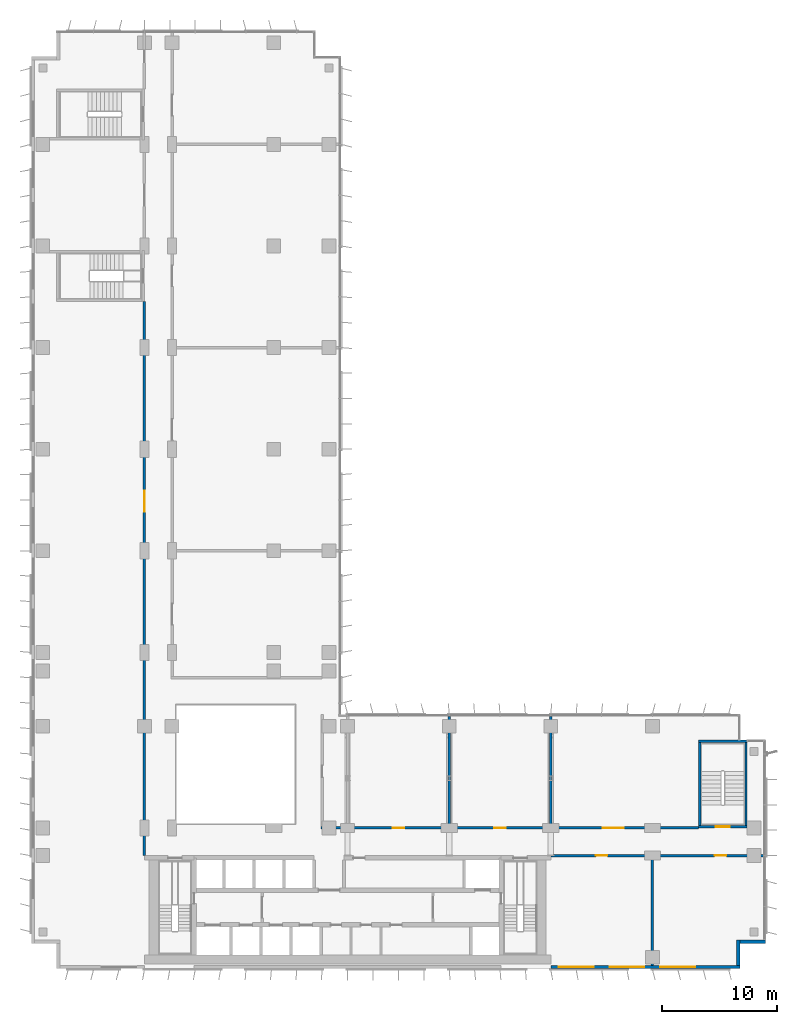
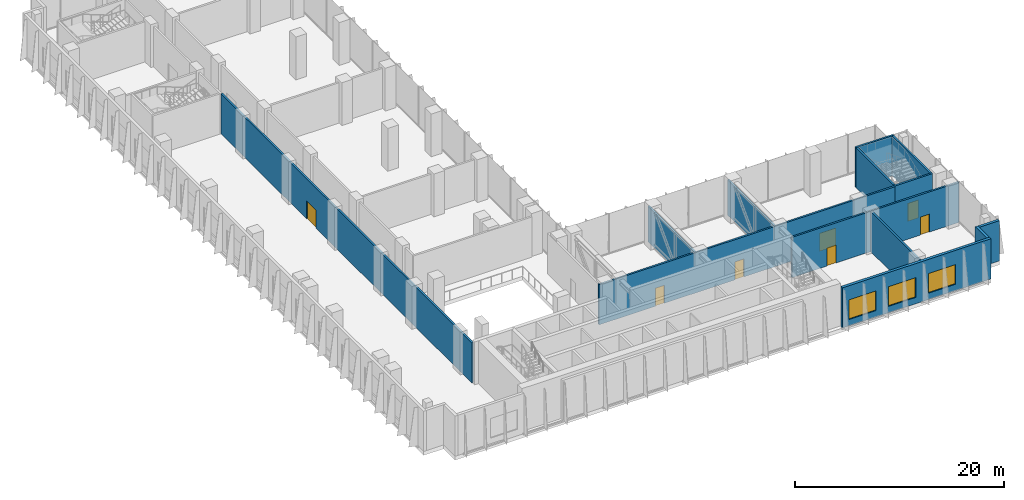
# One storey, part 13 of 21: 13 walls, 7 doors, 3 windows, 10 openings.
"""IFC4 building model written with IfcOpenShell, lengths in metres."""

from ifc_helpers import new_model, si_unit, direction, frame, frame_2d, origin, place, context, subcontext, project, spatial, rectangle, extrude, material, layer, layer_set, type_object, element, fill, save


model = new_model("IFC4")

# Units and contexts
model_context = context("Model", 3, precision=1e-05, world=origin(), true_north=direction((0.0, 1.0)))
body_context = subcontext(model_context, "Body", "Model", "MODEL_VIEW")
ifc_project = project(units=[si_unit("LENGTHUNIT", "METRE"), si_unit("AREAUNIT", "SQUARE_METRE"), si_unit("VOLUMEUNIT", "CUBIC_METRE"), si_unit("PLANEANGLEUNIT", "RADIAN"), si_unit("MASSUNIT", "GRAM", prefix="KILO")], contexts=[model_context])

# Site, building, storey
site_placement = place(None, origin())
site = spatial("IfcSite", under=ifc_project, at=site_placement, CompositionType="ELEMENT")
building_placement = place(site_placement, origin())
building = spatial("IfcBuilding", under=site, at=building_placement, Name="Kemantara Hotel Tower", CompositionType="ELEMENT")
storey_placement = place(building_placement, frame((0.0, 0.0, 133.300048828125)))
storey = spatial("IfcBuildingStorey", under=building, at=storey_placement, Name="L32", CompositionType="ELEMENT", Elevation=133.300048828125)

# Wall, openings, windows
ifc_material_1 = material(Name="Bronze anodised aluminium cladding on insulated steel stud wall", Category="steel")
ifc_layer_1 = layer(ifc_material_1, 0.300048828125)
ifc_layer_set_1 = layer_set([ifc_layer_1], Name="Bronze anodised aluminium cladding on insulated steel stud wall")
wall_type_1 = type_object("IfcWallType", Name="BRONZE METAL-CLAD EXTERNAL WALL 300", PredefinedType="STANDARD", material=ifc_layer_set_1)
wall_1_placement = place(storey_placement, frame((45.0, 0.14990234375, 0.0), z_axis=(0.0, 0.0, 1.0), x_axis=(1.0, 0.0, 0.0)))
wall_1 = element("IfcWall", 1, at=wall_1_placement, inside=storey, type_object=wall_type_1, Name="EXTERNAL WALL L32 T2-R07-3", PredefinedType="STANDARD", context=body_context, shape_type="SweptSolid", body=[
    extrude(rectangle(XDim=16.39990234375, YDim=0.300048828125, at=frame_2d((8.199951171875, 0.0))), origin(), (0.0, 0.0, 1.0), 4.699951171875),
])
opening_1_placement = place(wall_1_placement, frame((0.699951171875, 0.0, 0.75)))
opening_1 = element("IfcOpeningElement", 2, at=opening_1_placement, cuts=wall_1, Name="Opening W1", PredefinedType="OPENING", context=body_context, shape_type="SweptSolid", body=[
    extrude(rectangle(XDim=3.0, YDim=2.300048828125, at=frame_2d((1.5, 1.14990234375))), frame((0.0, 0.159912109375, 0.0), z_axis=(0.0, -1.0, 0.0), x_axis=(1.0, 0.0, 0.0)), (0.0, 0.0, 1.0), 0.320068359375),
])
opening_2_placement = place(wall_1_placement, frame((5.10009765625, 0.0, 0.75)))
opening_2 = element("IfcOpeningElement", 3, at=opening_2_placement, cuts=wall_1, Name="Opening W1", PredefinedType="OPENING", context=body_context, shape_type="SweptSolid", body=[
    extrude(rectangle(XDim=3.0, YDim=2.300048828125, at=frame_2d((1.5, 1.14990234375))), frame((0.0, 0.159912109375, 0.0), z_axis=(0.0, -1.0, 0.0), x_axis=(1.0, 0.0, 0.0)), (0.0, 0.0, 1.0), 0.320068359375),
])
opening_3_placement = place(wall_1_placement, frame((9.5, 0.0, 0.75)))
opening_3 = element("IfcOpeningElement", 4, at=opening_3_placement, cuts=wall_1, Name="Opening W1", PredefinedType="OPENING", context=body_context, shape_type="SweptSolid", body=[
    extrude(rectangle(XDim=3.0, YDim=2.300048828125, at=frame_2d((1.5, 1.14990234375))), frame((0.0, 0.159912109375, 0.0), z_axis=(0.0, -1.0, 0.0), x_axis=(1.0, 0.0, 0.0)), (0.0, 0.0, 1.0), 0.320068359375),
])
ifc_material_2 = material(Name="Low-E tinted double insulated glass in bronze anodised aluminium frame", Category="aluminium")
window_type = type_object("IfcWindowType", Name="CHICAGO WINDOW, TRIPLE PANEL 3000x2300", PartitioningType="TRIPLE_PANEL_VERTICAL", PredefinedType="WINDOW", material=ifc_material_2)
window_1_placement = place(opening_1_placement, origin())
window_1 = element("IfcWindow", 5, at=window_1_placement, inside=storey, type_object=window_type, Name="CHICAGO WINDOW L32 T2-R07-450", OverallHeight=2.300048828125, OverallWidth=3.0, PartitioningType="SINGLE_PANEL", PredefinedType="WINDOW", context=body_context, shape_type="SweptSolid", body=[
    extrude(rectangle(XDim=3.0, YDim=2.300048828125, at=frame_2d((1.5, 1.14990234375))), frame((0.0, 0.030029296875, 0.0), z_axis=(0.0, -1.0, 0.0), x_axis=(1.0, 0.0, 0.0)), (0.0, 0.0, 1.0), 0.06005859375),
])
fill(opening_1, window_1)
window_2_placement = place(opening_2_placement, origin())
window_2 = element("IfcWindow", 6, at=window_2_placement, inside=storey, type_object=window_type, Name="CHICAGO WINDOW L32 T2-R07-494", OverallHeight=2.300048828125, OverallWidth=3.0, PartitioningType="SINGLE_PANEL", PredefinedType="WINDOW", context=body_context, shape_type="SweptSolid", body=[
    extrude(rectangle(XDim=3.0, YDim=2.300048828125, at=frame_2d((1.5, 1.14990234375))), frame((0.0, 0.030029296875, 0.0), z_axis=(0.0, -1.0, 0.0), x_axis=(1.0, 0.0, 0.0)), (0.0, 0.0, 1.0), 0.06005859375),
])
fill(opening_2, window_2)
window_3_placement = place(opening_3_placement, origin())
window_3 = element("IfcWindow", 7, at=window_3_placement, inside=storey, type_object=window_type, Name="CHICAGO WINDOW L32 T2-R07-538", OverallHeight=2.300048828125, OverallWidth=3.0, PartitioningType="SINGLE_PANEL", PredefinedType="WINDOW", context=body_context, shape_type="SweptSolid", body=[
    extrude(rectangle(XDim=3.0, YDim=2.300048828125, at=frame_2d((1.5, 1.14990234375))), frame((0.0, 0.030029296875, 0.0), z_axis=(0.0, -1.0, 0.0), x_axis=(1.0, 0.0, 0.0)), (0.0, 0.0, 1.0), 0.06005859375),
])
fill(opening_3, window_3)

# Walls
wall_2_placement = place(storey_placement, frame((61.25, 0.300048828125, 0.0), z_axis=(0.0, 0.0, 1.0), x_axis=(0.0, 1.0, 0.0)))
element("IfcWall", 8, at=wall_2_placement, inside=storey, type_object=wall_type_1, Name="EXTERNAL WALL L32 T2-R08", PredefinedType="STANDARD", context=body_context, shape_type="SweptSolid", body=[
    extrude(rectangle(XDim=2.199951171875, YDim=0.300048828125, at=frame_2d((1.10009765625, 0.0))), origin(), (0.0, 0.0, 1.0), 4.699951171875),
])
wall_3_placement = place(storey_placement, frame((61.39990234375, 2.35009765625, 0.0), z_axis=(0.0, 0.0, 1.0), x_axis=(1.0, 0.0, 0.0)))
element("IfcWall", 9, at=wall_3_placement, inside=storey, type_object=wall_type_1, Name="EXTERNAL WALL L32 T2-R09", PredefinedType="STANDARD", context=body_context, shape_type="SweptSolid", body=[
    extrude(rectangle(XDim=2.2001953125, YDim=0.300048828125, at=frame_2d((1.10009765625, 0.0))), origin(), (0.0, 0.0, 1.0), 4.699951171875),
])

# Wall, opening, door
ifc_material_3 = material(Name="Concrete fc 40 MPa", Category="concrete")
ifc_layer_2 = layer(ifc_material_3, 0.199951171875)
ifc_layer_set_2 = layer_set([ifc_layer_2], Name="Concrete fc 40 MPa")
wall_type_2 = type_object("IfcWallType", Name="Concrete stair wall 200 mm", PredefinedType="SHEAR", material=ifc_layer_set_2)
wall_4_placement = place(storey_placement, frame((57.800048828125, 12.300048828125, 0.0), z_axis=(0.0, 0.0, 1.0), x_axis=(1.0, 0.0, 0.0)))
wall_4 = element("IfcWall", 10, at=wall_4_placement, inside=storey, type_object=wall_type_2, Name="Stair ST3 enclosure wall with door", PredefinedType="SHEAR", context=body_context, shape_type="SweptSolid", body=[
    extrude(rectangle(XDim=4.199951171875, YDim=0.199951171875, at=frame_2d((2.10009765625, 0.0))), origin(), (0.0, 0.0, 1.0), 4.699951171875),
])
opening_4_placement = place(wall_4_placement, frame((1.5, 0.0, 0.0)))
opening_4 = element("IfcOpeningElement", 11, at=opening_4_placement, cuts=wall_4, Name="Opening ST3-C", PredefinedType="OPENING", context=body_context, shape_type="SweptSolid", body=[
    extrude(rectangle(XDim=1.199951171875, YDim=2.10009765625, at=frame_2d((0.60009765625, 1.050048828125))), frame((0.0, 0.10986328125, 0.0), z_axis=(0.0, -1.0, 0.0), x_axis=(1.0, 0.0, 0.0)), (0.0, 0.0, 1.0), 0.219970703125),
])
ifc_material_4 = material(Name="Steel fire door", Category="steel")
door_type_1 = type_object("IfcDoorType", Name="Fire door FD90 1200 x 2100", OperationType="NOTDEFINED", PredefinedType="DOOR", material=ifc_material_4)
door_1_placement = place(opening_4_placement, origin())
door_1 = element("IfcDoor", 12, at=door_1_placement, inside=storey, type_object=door_type_1, Name="Stair ST3 door", OperationType="SINGLE_SWING_RIGHT", OverallHeight=2.10009765625, OverallWidth=1.199951171875, PredefinedType="DOOR", context=body_context, shape_type="SweptSolid", body=[
    extrude(rectangle(XDim=1.199951171875, YDim=2.10009765625, at=frame_2d((0.60009765625, 1.050048828125))), frame((0.0, 0.02490234375, 0.0), z_axis=(0.0, -1.0, 0.0), x_axis=(1.0, 0.0, 0.0)), (0.0, 0.0, 1.0), 0.050048828125),
])
fill(opening_4, door_1)

# Walls
wall_5_placement = place(storey_placement, frame((57.800048828125, 19.699951171875, 0.0), z_axis=(0.0, 0.0, 1.0), x_axis=(1.0, 0.0, 0.0)))
element("IfcWall", 13, at=wall_5_placement, inside=storey, type_object=wall_type_2, Name="Stair ST3 enclosure wall N", PredefinedType="SHEAR", context=body_context, shape_type="SweptSolid", body=[
    extrude(rectangle(XDim=4.199951171875, YDim=0.199951171875, at=frame_2d((2.10009765625, 0.0))), origin(), (0.0, 0.0, 1.0), 4.699951171875),
])
for number, where, z_axis, x_axis, name in (
    (14, (57.89990234375, 12.39990234375, 0.0), (0.0, 0.0, 1.0), (0.0, 1.0, 0.0), "Stair ST3 enclosure wall W"),
    (15, (61.89990234375, 12.39990234375, 0.0), (0.0, 0.0, 1.0), (0.0, 1.0, 0.0), "Stair ST3 enclosure wall E"),
):
    element("IfcWall", number, at=place(storey_placement, frame(where, z_axis=z_axis, x_axis=x_axis)), inside=storey, type_object=wall_type_2, Name=name, PredefinedType="SHEAR", context=body_context, shape_type="SweptSolid", body=[
        extrude(rectangle(XDim=7.2001953125, YDim=0.199951171875, at=frame_2d((3.60009765625, 0.0))), origin(), (0.0, 0.0, 1.0), 4.699951171875),
    ])
ifc_material_5 = material(Name="Clay brick masonry", Category="masonry")
ifc_layer_3 = layer(ifc_material_5, 0.199951171875)
ifc_layer_set_3 = layer_set([ifc_layer_3], Name="Clay brick masonry")
wall_type_3 = type_object("IfcWallType", Name="FIRE-RATED CLAY BRICK WALL 200 EI 120", PredefinedType="PARTITIONING", material=ifc_layer_set_3)
wall_6_placement = place(storey_placement, frame((53.800048828125, 0.300048828125, 0.0), z_axis=(0.0, 0.0, 1.0), x_axis=(0.0, 1.0, 0.0)))
element("IfcWall", 16, at=wall_6_placement, inside=storey, type_object=wall_type_3, Name="FIRE WALL", PredefinedType="PARTITIONING", context=body_context, shape_type="SweptSolid", body=[
    extrude(rectangle(XDim=9.39990234375, YDim=0.199951171875, at=frame_2d((4.699951171875, 0.0))), origin(), (0.0, 0.0, 1.0), 4.699951171875),
])
for number, where, z_axis, x_axis, name in (
    (17, (36.199951171875, 12.300048828125, 0.0), (0.0, 0.0, 1.0), (0.0, 1.0, 0.0), "FIRE WALL"),
    (18, (45.0, 12.300048828125, 0.0), (0.0, 0.0, 1.0), (0.0, 1.0, 0.0), "FIRE WALL"),
):
    element("IfcWall", number, at=place(storey_placement, frame(where, z_axis=z_axis, x_axis=x_axis)), inside=storey, type_object=wall_type_3, Name=name, PredefinedType="PARTITIONING", context=body_context, shape_type="SweptSolid", body=[
        extrude(rectangle(XDim=9.550048828125, YDim=0.199951171875, at=frame_2d((4.77490234375, 0.0))), origin(), (0.0, 0.0, 1.0), 4.130859375),
    ])

# Wall, openings, doors
ifc_material_6 = material(Name="Fire-rated gypsum board partition")
ifc_layer_4 = layer(ifc_material_6, 0.199951171875)
ifc_layer_set_4 = layer_set([ifc_layer_4], Name="Fire-rated gypsum board partition")
wall_type_4 = type_object("IfcWallType", Name="FIRE-RATED GYPSUM PARTITION 200 EI 60", PredefinedType="PARTITIONING", material=ifc_layer_set_4)
wall_7_placement = place(storey_placement, frame((45.0, 9.800048828125, 0.0), z_axis=(0.0, 0.0, 1.0), x_axis=(1.0, 0.0, 0.0)))
wall_7 = element("IfcWall", 19, at=wall_7_placement, inside=storey, type_object=wall_type_4, Name="FIRE-RATED PARTITION", PredefinedType="PARTITIONING", context=body_context, shape_type="SweptSolid", body=[
    extrude(rectangle(XDim=18.449951171875, YDim=0.199951171875, at=frame_2d((9.22509765625, 0.0))), origin(), (0.0, 0.0, 1.0), 4.699951171875),
])
opening_5_placement = place(wall_7_placement, frame((3.89990234375, 0.0, 0.0)))
opening_5 = element("IfcOpeningElement", 20, at=opening_5_placement, cuts=wall_7, Name="Opening L32-B001", PredefinedType="OPENING", context=body_context, shape_type="SweptSolid", body=[
    extrude(rectangle(XDim=1.0, YDim=2.10009765625, at=frame_2d((0.5, 1.050048828125))), frame((0.0, 0.10986328125, 0.0), z_axis=(0.0, -1.0, 0.0), x_axis=(1.0, 0.0, 0.0)), (0.0, 0.0, 1.0), 0.219970703125),
])
opening_6_placement = place(wall_7_placement, frame((14.199951171875, 0.0, 0.0)))
opening_6 = element("IfcOpeningElement", 21, at=opening_6_placement, cuts=wall_7, Name="Opening L32-B002", PredefinedType="OPENING", context=body_context, shape_type="SweptSolid", body=[
    extrude(rectangle(XDim=1.0, YDim=2.10009765625, at=frame_2d((0.5, 1.050048828125))), frame((0.0, 0.10986328125, 0.0), z_axis=(0.0, -1.0, 0.0), x_axis=(1.0, 0.0, 0.0)), (0.0, 0.0, 1.0), 0.219970703125),
])
ifc_material_7 = material(Name="Galvanised steel door leaf", Category="steel")
door_type_2 = type_object("IfcDoorType", Name="FIRE-RATED STEEL DOOR 1000 X 2100", OperationType="SINGLE_SWING_LEFT", PredefinedType="DOOR", material=ifc_material_7)
door_2_placement = place(opening_5_placement, origin())
door_2 = element("IfcDoor", 22, at=door_2_placement, inside=storey, type_object=door_type_2, Name="FIRE-RATED STEEL DOOR", OperationType="SINGLE_SWING_LEFT", OverallHeight=2.10009765625, OverallWidth=1.0, PredefinedType="DOOR", context=body_context, shape_type="SweptSolid", body=[
    extrude(rectangle(XDim=1.0, YDim=2.10009765625, at=frame_2d((0.5, 1.050048828125))), frame((0.0, 0.02490234375, 0.0), z_axis=(0.0, -1.0, 0.0), x_axis=(1.0, 0.0, 0.0)), (0.0, 0.0, 1.0), 0.050048828125),
])
fill(opening_5, door_2)
door_3_placement = place(opening_6_placement, origin())
door_3 = element("IfcDoor", 23, at=door_3_placement, inside=storey, type_object=door_type_2, Name="FIRE-RATED STEEL DOOR", OperationType="SINGLE_SWING_RIGHT", OverallHeight=2.10009765625, OverallWidth=1.0, PredefinedType="DOOR", context=body_context, shape_type="SweptSolid", body=[
    extrude(rectangle(XDim=1.0, YDim=2.10009765625, at=frame_2d((0.5, 1.050048828125))), frame((0.0, 0.02490234375, 0.0), z_axis=(0.0, -1.0, 0.0), x_axis=(1.0, 0.0, 0.0)), (0.0, 0.0, 1.0), 0.050048828125),
])
fill(opening_6, door_3)

wall_8_placement = place(storey_placement, frame((25.10009765625, 12.199951171875, 0.0), z_axis=(0.0, 0.0, 1.0), x_axis=(1.0, 0.0, 0.0)))
wall_8 = element("IfcWall", 24, at=wall_8_placement, inside=storey, type_object=wall_type_4, Name="FIRE-RATED PARTITION", PredefinedType="PARTITIONING", context=body_context, shape_type="SweptSolid", body=[
    extrude(rectangle(XDim=32.699951171875, YDim=0.199951171875, at=frame_2d((16.35009765625, 0.0))), origin(), (0.0, 0.0, 1.0), 4.699951171875),
])
opening_7_placement = place(wall_8_placement, frame((6.199951171875, 0.0, 0.0)))
opening_7 = element("IfcOpeningElement", 25, at=opening_7_placement, cuts=wall_8, Name="Opening L32-B004", PredefinedType="OPENING", context=body_context, shape_type="SweptSolid", body=[
    extrude(rectangle(XDim=1.0, YDim=2.10009765625, at=frame_2d((0.5, 1.050048828125))), frame((0.0, 0.10986328125, 0.0), z_axis=(0.0, -1.0, 0.0), x_axis=(1.0, 0.0, 0.0)), (0.0, 0.0, 1.0), 0.219970703125),
])
opening_8_placement = place(wall_8_placement, frame((15.0, 0.0, 0.0)))
opening_8 = element("IfcOpeningElement", 26, at=opening_8_placement, cuts=wall_8, Name="Opening L32-B005", PredefinedType="OPENING", context=body_context, shape_type="SweptSolid", body=[
    extrude(rectangle(XDim=1.0, YDim=2.10009765625, at=frame_2d((0.5, 1.050048828125))), frame((0.0, 0.10986328125, 0.0), z_axis=(0.0, -1.0, 0.0), x_axis=(1.0, 0.0, 0.0)), (0.0, 0.0, 1.0), 0.219970703125),
])
opening_9_placement = place(wall_8_placement, frame((24.39990234375, 0.0, 0.0)))
opening_9 = element("IfcOpeningElement", 27, at=opening_9_placement, cuts=wall_8, Name="Opening L32-B006", PredefinedType="OPENING", context=body_context, shape_type="SweptSolid", body=[
    extrude(rectangle(XDim=1.800048828125, YDim=2.10009765625, at=frame_2d((0.89990234375, 1.050048828125))), frame((0.0, 0.10986328125, 0.0), z_axis=(0.0, -1.0, 0.0), x_axis=(1.0, 0.0, 0.0)), (0.0, 0.0, 1.0), 0.219970703125),
])
door_4_placement = place(opening_7_placement, frame((1.0, 0.0, 0.0), z_axis=(0.0, 0.0, 1.0), x_axis=(-1.0, 0.0, 0.0)))
door_4 = element("IfcDoor", 28, at=door_4_placement, inside=storey, type_object=door_type_2, Name="FIRE-RATED STEEL DOOR", OperationType="SINGLE_SWING_RIGHT", OverallHeight=2.10009765625, OverallWidth=1.0, PredefinedType="DOOR", context=body_context, shape_type="SweptSolid", body=[
    extrude(rectangle(XDim=1.0, YDim=2.10009765625, at=frame_2d((0.5, 1.050048828125))), frame((0.0, 0.02490234375, 0.0), z_axis=(0.0, -1.0, 0.0), x_axis=(1.0, 0.0, 0.0)), (0.0, 0.0, 1.0), 0.050048828125),
])
fill(opening_7, door_4)
door_5_placement = place(opening_8_placement, frame((1.0, 0.0, 0.0), z_axis=(0.0, 0.0, 1.0), x_axis=(-1.0, 0.0, 0.0)))
door_5 = element("IfcDoor", 29, at=door_5_placement, inside=storey, type_object=door_type_2, Name="FIRE-RATED STEEL DOOR", OperationType="SINGLE_SWING_RIGHT", OverallHeight=2.10009765625, OverallWidth=1.0, PredefinedType="DOOR", context=body_context, shape_type="SweptSolid", body=[
    extrude(rectangle(XDim=1.0, YDim=2.10009765625, at=frame_2d((0.5, 1.050048828125))), frame((0.0, 0.02490234375, 0.0), z_axis=(0.0, -1.0, 0.0), x_axis=(1.0, 0.0, 0.0)), (0.0, 0.0, 1.0), 0.050048828125),
])
fill(opening_8, door_5)
door_type_3 = type_object("IfcDoorType", Name="FIRE-RATED STEEL DOOR DOUBLE LEAF 1800 X 2100", OperationType="DOUBLE_DOOR_SINGLE_SWING", PredefinedType="DOOR", material=ifc_material_7)
door_6_placement = place(opening_9_placement, frame((1.800048828125, 0.0, 0.0), z_axis=(0.0, 0.0, 1.0), x_axis=(-1.0, 0.0, 0.0)))
door_6 = element("IfcDoor", 30, at=door_6_placement, inside=storey, type_object=door_type_3, Name="FIRE-RATED STEEL DOOR DOUBLE LEAF", OperationType="DOUBLE_DOOR_SINGLE_SWING", OverallHeight=2.10009765625, OverallWidth=1.800048828125, PredefinedType="DOOR", context=body_context, shape_type="SweptSolid", body=[
    extrude(rectangle(XDim=1.800048828125, YDim=2.10009765625, at=frame_2d((0.89990234375, 1.050048828125))), frame((0.0, 0.02490234375, 0.0), z_axis=(0.0, -1.0, 0.0), x_axis=(1.0, 0.0, 0.0)), (0.0, 0.0, 1.0), 0.050048828125),
])
fill(opening_9, door_6)

# Wall, opening, door
wall_9_placement = place(storey_placement, frame((9.800048828125, 9.800048828125, 0.0), z_axis=(0.0, 0.0, 1.0), x_axis=(0.0, 1.0, 0.0)))
wall_9 = element("IfcWall", 31, at=wall_9_placement, inside=storey, type_object=wall_type_4, Name="FIRE-RATED PARTITION", PredefinedType="PARTITIONING", context=body_context, shape_type="SweptSolid", body=[
    extrude(rectangle(XDim=48.0, YDim=0.199951171875, at=frame_2d((24.0, 0.0))), origin(), (0.0, 0.0, 1.0), 4.699951171875),
])
opening_10_placement = place(wall_9_placement, frame((29.800048828125, 0.0, 0.0)))
opening_10 = element("IfcOpeningElement", 32, at=opening_10_placement, cuts=wall_9, Name="Opening L32-B011", PredefinedType="OPENING", context=body_context, shape_type="SweptSolid", body=[
    extrude(rectangle(XDim=1.800048828125, YDim=2.10009765625, at=frame_2d((0.89990234375, 1.050048828125))), frame((0.0, 0.10986328125, 0.0), z_axis=(0.0, -1.0, 0.0), x_axis=(1.0, 0.0, 0.0)), (0.0, 0.0, 1.0), 0.219970703125),
])
door_7_placement = place(opening_10_placement, frame((1.800048828125, 0.0, 0.0), z_axis=(0.0, 0.0, 1.0), x_axis=(-1.0, 0.0, 0.0)))
door_7 = element("IfcDoor", 33, at=door_7_placement, inside=storey, type_object=door_type_3, Name="FIRE-RATED STEEL DOOR DOUBLE LEAF", OperationType="DOUBLE_DOOR_SINGLE_SWING", OverallHeight=2.10009765625, OverallWidth=1.800048828125, PredefinedType="DOOR", context=body_context, shape_type="SweptSolid", body=[
    extrude(rectangle(XDim=1.800048828125, YDim=2.10009765625, at=frame_2d((0.89990234375, 1.050048828125))), frame((0.0, 0.02490234375, 0.0), z_axis=(0.0, -1.0, 0.0), x_axis=(1.0, 0.0, 0.0)), (0.0, 0.0, 1.0), 0.050048828125),
])
fill(opening_10, door_7)

save(model, "model.ifc")
